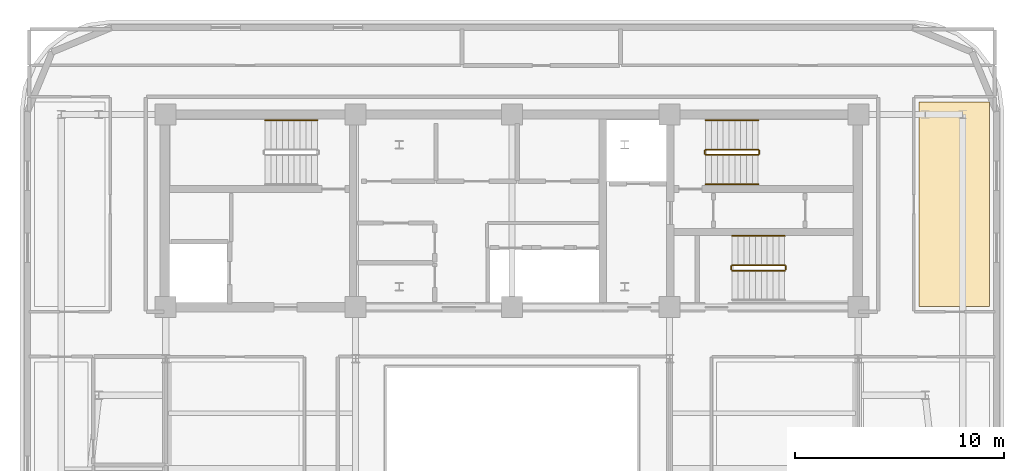
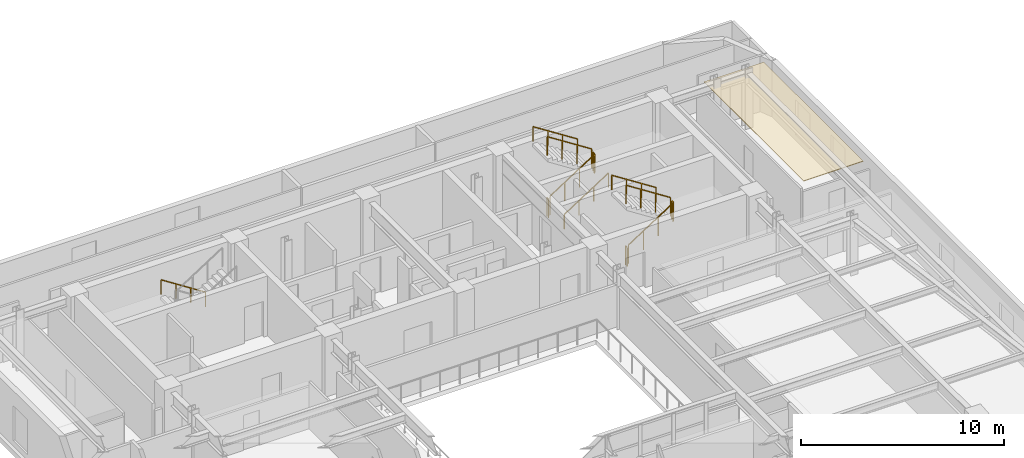
# One storey, part 14 of 14: 12 railings, 1 covering.
"""IFC4 building model written with IfcOpenShell, lengths in metres."""

from ifc_helpers import new_model, si_unit, direction, frame, origin, origin_2d, place, context, subcontext, project, spatial, polyline, rectangle, outline, extrude, material, layer, layer_set, type_object, element, save


model = new_model("IFC4")

# Units and contexts
model_context = context("Model", 3, precision=1e-05, world=origin(), true_north=direction((0.0, 1.0)))
body_context = subcontext(model_context, "Body", "Model", "MODEL_VIEW")
ifc_project = project(units=[si_unit("LENGTHUNIT", "METRE"), si_unit("AREAUNIT", "SQUARE_METRE"), si_unit("VOLUMEUNIT", "CUBIC_METRE"), si_unit("PLANEANGLEUNIT", "RADIAN"), si_unit("MASSUNIT", "GRAM", prefix="KILO")], contexts=[model_context])

# Site, building, storey
site_placement = place(None, origin())
site = spatial("IfcSite", under=ifc_project, at=site_placement, CompositionType="ELEMENT")
building_placement = place(site_placement, origin())
building = spatial("IfcBuilding", under=site, at=building_placement, Name="Zarnavel Station Tower", CompositionType="ELEMENT")
storey_placement = place(building_placement, frame((0.0, 0.0, 222.0)))
storey = spatial("IfcBuildingStorey", under=building, at=storey_placement, Name="L60", CompositionType="ELEMENT", Elevation=222.0)

# Covering
ifc_material_1 = material(Name="Perforated Gypsum and Mineral-Wool Acoustic Ceiling", Category="concrete")
ifc_layer = layer(ifc_material_1, 0.0400390625)
ifc_layer_set = layer_set([ifc_layer], Name="COV_CEIL_ACOUSTIC")
covering_type = type_object("IfcCoveringType", Name="COV_CEIL_ACOUSTIC", PredefinedType="CEILING", material=ifc_layer_set)
covering_placement = place(storey_placement, frame((0.0, 0.0, 3.02001953125)))
element("IfcCovering", 1, at=covering_placement, inside=storey, type_object=covering_type, Name="L60 FNE Acoustic Ceiling", PredefinedType="CEILING", context=body_context, shape_type="SweptSolid", body=[
    extrude(outline(polyline([(48.300048828125, 27.85009765625), (51.68994140625, 27.85009765625), (51.68994140625, 37.64990234375), (48.300048828125, 37.64990234375), (48.300048828125, 27.85009765625)])), origin(), (0.0, 0.0, 1.0), 0.0400390625),
])

# Railings
ifc_material_2 = material(Name="Painted Steel S355J2 Balustrade", Category="steel")
railing_type_1 = type_object("IfcRailingType", Name="GR_INT_1150", PredefinedType="GUARDRAIL", material=ifc_material_2)
railing_1_placement = place(storey_placement, frame((38.080078125, 35.110107421875, 0.179931640625)))
element("IfcRailing", 2, at=railing_1_placement, inside=storey, type_object=railing_type_1, Name="L60 ST2 stair guard 1", PredefinedType="GUARDRAIL", context=body_context, shape_type="SweptSolid", body=[
    extrude(rectangle(XDim=0.048095703125, YDim=0.048095703125, at=origin_2d()), frame((0.001708984375, 0.0, 1.126953125), z_axis=(0.841162588446, 0.0, 0.540782303519), x_axis=(0.0, 1.0, 0.0)), (0.0, 0.0, 1.0), 2.991943359375),
    extrude(rectangle(XDim=0.0419921875, YDim=0.0419921875, at=origin_2d()), origin(), (0.0, 0.0, 1.0), 1.101806640625),
    extrude(rectangle(XDim=0.0419921875, YDim=0.0419921875, at=origin_2d()), frame((0.840087890625, 0.0, 0.5400390625)), (0.0, 0.0, 1.0), 1.101806640625),
    extrude(rectangle(XDim=0.0419921875, YDim=0.0419921875, at=origin_2d()), frame((1.679931640625, 0.0, 1.080078125)), (0.0, 0.0, 1.0), 1.101806640625),
    extrude(rectangle(XDim=0.0419921875, YDim=0.0419921875, at=origin_2d()), frame((2.52001953125, 0.0, 1.6201171875)), (0.0, 0.0, 1.0), 1.101806640625),
])
railing_2_placement = place(storey_placement, frame((40.64990234375, 35.159912109375, 1.800048828125)))
element("IfcRailing", 3, at=railing_2_placement, inside=storey, type_object=railing_type_1, Name="L60 ST2 stair guard 2", PredefinedType="GUARDRAIL", context=body_context, shape_type="SweptSolid", body=[
    extrude(rectangle(XDim=0.048095703125, YDim=0.048095703125, at=origin_2d()), frame((0.0, 0.001953125, 1.1259765625), z_axis=(0.0, 1.0, 0.0), x_axis=(-1.0, 0.0, 0.0)), (0.0, 0.0, 1.0), 0.15625),
    extrude(rectangle(XDim=0.0419921875, YDim=0.0419921875, at=origin_2d()), origin(), (0.0, 0.0, 1.0), 1.101806640625),
    extrude(rectangle(XDim=0.0419921875, YDim=0.0419921875, at=origin_2d()), frame((0.0, 0.16015625, 0.0)), (0.0, 0.0, 1.0), 1.101806640625),
])
railing_3_placement = place(storey_placement, frame((40.60009765625, 35.3701171875, 1.97998046875)))
element("IfcRailing", 4, at=railing_3_placement, inside=storey, type_object=railing_type_1, Name="L60 ST2 stair guard 3", PredefinedType="GUARDRAIL", context=body_context, shape_type="SweptSolid", body=[
    extrude(rectangle(XDim=0.048095703125, YDim=0.048095703125, at=origin_2d()), frame((-0.001708984375, 0.0, 1.126953125), z_axis=(-0.841162588446, 0.0, 0.540782303519), x_axis=(0.0, -1.0, 0.0)), (0.0, 0.0, 1.0), 2.991943359375),
    extrude(rectangle(XDim=0.0419921875, YDim=0.0419921875, at=origin_2d()), origin(), (0.0, 0.0, 1.0), 1.101806640625),
    extrude(rectangle(XDim=0.0419921875, YDim=0.0419921875, at=origin_2d()), frame((-0.840087890625, 0.0, 0.5400390625)), (0.0, 0.0, 1.0), 1.101806640625),
    extrude(rectangle(XDim=0.0419921875, YDim=0.0419921875, at=origin_2d()), frame((-1.679931640625, 0.0, 1.080078125)), (0.0, 0.0, 1.0), 1.101806640625),
    extrude(rectangle(XDim=0.0419921875, YDim=0.0419921875, at=origin_2d()), frame((-2.52001953125, 0.0, 1.6201171875)), (0.0, 0.0, 1.0), 1.101806640625),
])
railing_4_placement = place(storey_placement, frame((38.030029296875, 35.159912109375, 0.0)))
element("IfcRailing", 5, at=railing_4_placement, inside=storey, type_object=railing_type_1, Name="L60 ST2 stair guard 4", PredefinedType="GUARDRAIL", context=body_context, shape_type="SweptSolid", body=[
    extrude(rectangle(XDim=0.048095703125, YDim=0.048095703125, at=origin_2d()), frame((0.0, 0.001953125, 1.1259765625), z_axis=(0.0, 1.0, 0.0), x_axis=(-1.0, 0.0, 0.0)), (0.0, 0.0, 1.0), 0.15625),
    extrude(rectangle(XDim=0.0419921875, YDim=0.0419921875, at=origin_2d()), origin(), (0.0, 0.0, 1.0), 1.101806640625),
    extrude(rectangle(XDim=0.0419921875, YDim=0.0419921875, at=origin_2d()), frame((0.0, 0.16015625, 0.0)), (0.0, 0.0, 1.0), 1.101806640625),
])
railing_5_placement = place(storey_placement, frame((39.35009765625, 29.570068359375, 0.179931640625)))
element("IfcRailing", 6, at=railing_5_placement, inside=storey, type_object=railing_type_1, Name="L60 ST3 stair guard 1", PredefinedType="GUARDRAIL", context=body_context, shape_type="SweptSolid", body=[
    extrude(rectangle(XDim=0.048095703125, YDim=0.048095703125, at=origin_2d()), frame((0.001708984375, 0.0, 1.126953125), z_axis=(0.841162588446, 0.0, 0.540782303519), x_axis=(0.0, 1.0, 0.0)), (0.0, 0.0, 1.0), 2.991943359375),
    extrude(rectangle(XDim=0.0419921875, YDim=0.0419921875, at=origin_2d()), origin(), (0.0, 0.0, 1.0), 1.101806640625),
    extrude(rectangle(XDim=0.0419921875, YDim=0.0419921875, at=origin_2d()), frame((0.840087890625, 0.0, 0.5400390625)), (0.0, 0.0, 1.0), 1.101806640625),
    extrude(rectangle(XDim=0.0419921875, YDim=0.0419921875, at=origin_2d()), frame((1.679931640625, 0.0, 1.080078125)), (0.0, 0.0, 1.0), 1.101806640625),
    extrude(rectangle(XDim=0.0419921875, YDim=0.0419921875, at=origin_2d()), frame((2.52001953125, 0.0, 1.6201171875)), (0.0, 0.0, 1.0), 1.101806640625),
])
railing_6_placement = place(storey_placement, frame((41.919921875, 29.6201171875, 1.800048828125)))
element("IfcRailing", 7, at=railing_6_placement, inside=storey, type_object=railing_type_1, Name="L60 ST3 stair guard 2", PredefinedType="GUARDRAIL", context=body_context, shape_type="SweptSolid", body=[
    extrude(rectangle(XDim=0.048095703125, YDim=0.048095703125, at=origin_2d()), frame((0.0, 0.001953125, 1.1259765625), z_axis=(0.0, 1.0, 0.0), x_axis=(-1.0, 0.0, 0.0)), (0.0, 0.0, 1.0), 0.156005859375),
    extrude(rectangle(XDim=0.0419921875, YDim=0.0419921875, at=origin_2d()), origin(), (0.0, 0.0, 1.0), 1.101806640625),
    extrude(rectangle(XDim=0.0419921875, YDim=0.0419921875, at=origin_2d()), frame((0.0, 0.159912109375, 0.0)), (0.0, 0.0, 1.0), 1.101806640625),
])
railing_7_placement = place(storey_placement, frame((41.8701171875, 29.830078125, 1.97998046875)))
element("IfcRailing", 8, at=railing_7_placement, inside=storey, type_object=railing_type_1, Name="L60 ST3 stair guard 3", PredefinedType="GUARDRAIL", context=body_context, shape_type="SweptSolid", body=[
    extrude(rectangle(XDim=0.048095703125, YDim=0.048095703125, at=origin_2d()), frame((-0.001708984375, 0.0, 1.126953125), z_axis=(-0.841162588446, 0.0, 0.540782303519), x_axis=(0.0, -1.0, 0.0)), (0.0, 0.0, 1.0), 2.991943359375),
    extrude(rectangle(XDim=0.0419921875, YDim=0.0419921875, at=origin_2d()), origin(), (0.0, 0.0, 1.0), 1.101806640625),
    extrude(rectangle(XDim=0.0419921875, YDim=0.0419921875, at=origin_2d()), frame((-0.840087890625, 0.0, 0.5400390625)), (0.0, 0.0, 1.0), 1.101806640625),
    extrude(rectangle(XDim=0.0419921875, YDim=0.0419921875, at=origin_2d()), frame((-1.679931640625, 0.0, 1.080078125)), (0.0, 0.0, 1.0), 1.101806640625),
    extrude(rectangle(XDim=0.0419921875, YDim=0.0419921875, at=origin_2d()), frame((-2.52001953125, 0.0, 1.6201171875)), (0.0, 0.0, 1.0), 1.101806640625),
])
railing_8_placement = place(storey_placement, frame((39.300048828125, 29.6201171875, 0.0)))
element("IfcRailing", 9, at=railing_8_placement, inside=storey, type_object=railing_type_1, Name="L60 ST3 stair guard 4", PredefinedType="GUARDRAIL", context=body_context, shape_type="SweptSolid", body=[
    extrude(rectangle(XDim=0.048095703125, YDim=0.048095703125, at=origin_2d()), frame((0.0, 0.001953125, 1.1259765625), z_axis=(0.0, 1.0, 0.0), x_axis=(-1.0, 0.0, 0.0)), (0.0, 0.0, 1.0), 0.156005859375),
    extrude(rectangle(XDim=0.0419921875, YDim=0.0419921875, at=origin_2d()), origin(), (0.0, 0.0, 1.0), 1.101806640625),
    extrude(rectangle(XDim=0.0419921875, YDim=0.0419921875, at=origin_2d()), frame((0.0, 0.159912109375, 0.0)), (0.0, 0.0, 1.0), 1.101806640625),
])
ifc_material_3 = material(Name="Brushed Stainless Steel S355J2 Handrail", Category="steel")
railing_type_2 = type_object("IfcRailingType", Name="HR_STAIR_900", PredefinedType="HANDRAIL", material=ifc_material_3)
railing_9_placement = place(storey_placement, frame((19.47998046875, 36.77001953125, 0.179931640625)))
element("IfcRailing", 10, at=railing_9_placement, inside=storey, type_object=railing_type_2, Name="L60 ST1 stair handrail 1", PredefinedType="HANDRAIL", context=body_context, shape_type="SweptSolid", body=[
    extrude(rectangle(XDim=0.048095703125, YDim=0.048095703125, at=origin_2d()), frame((-0.001708984375, 0.0, 0.876953125), z_axis=(-0.841162588446, 0.0, 0.540782303519), x_axis=(0.0, -1.0, 0.0)), (0.0, 0.0, 1.0), 2.991943359375),
    extrude(rectangle(XDim=0.0419921875, YDim=0.0419921875, at=origin_2d()), origin(), (0.0, 0.0, 1.0), 0.851806640625),
    extrude(rectangle(XDim=0.0419921875, YDim=0.0419921875, at=origin_2d()), frame((-0.840087890625, 0.0, 0.5400390625)), (0.0, 0.0, 1.0), 0.851806640625),
    extrude(rectangle(XDim=0.0419921875, YDim=0.0419921875, at=origin_2d()), frame((-1.679931640625, 0.0, 1.080078125)), (0.0, 0.0, 1.0), 0.851806640625),
    extrude(rectangle(XDim=0.0419921875, YDim=0.0419921875, at=origin_2d()), frame((-2.52001953125, 0.0, 1.6201171875)), (0.0, 0.0, 1.0), 0.851806640625),
])
railing_10_placement = place(storey_placement, frame((38.080078125, 33.7099609375, 0.179931640625)))
element("IfcRailing", 11, at=railing_10_placement, inside=storey, type_object=railing_type_2, Name="L60 ST2 stair handrail 1", PredefinedType="HANDRAIL", context=body_context, shape_type="SweptSolid", body=[
    extrude(rectangle(XDim=0.048095703125, YDim=0.048095703125, at=origin_2d()), frame((0.001708984375, 0.0, 0.876953125), z_axis=(0.841162588446, 0.0, 0.540782303519), x_axis=(0.0, 1.0, 0.0)), (0.0, 0.0, 1.0), 2.991943359375),
    extrude(rectangle(XDim=0.0419921875, YDim=0.0419921875, at=origin_2d()), origin(), (0.0, 0.0, 1.0), 0.851806640625),
    extrude(rectangle(XDim=0.0419921875, YDim=0.0419921875, at=origin_2d()), frame((0.840087890625, 0.0, 0.5400390625)), (0.0, 0.0, 1.0), 0.851806640625),
    extrude(rectangle(XDim=0.0419921875, YDim=0.0419921875, at=origin_2d()), frame((1.679931640625, 0.0, 1.080078125)), (0.0, 0.0, 1.0), 0.851806640625),
    extrude(rectangle(XDim=0.0419921875, YDim=0.0419921875, at=origin_2d()), frame((2.52001953125, 0.0, 1.6201171875)), (0.0, 0.0, 1.0), 0.851806640625),
])
for number, where, name in (
    (12, (40.60009765625, 36.77001953125, 1.97998046875), "L60 ST2 stair handrail 2"),
    (13, (41.8701171875, 31.22998046875, 1.97998046875), "L60 ST3 stair handrail 2"),
):
    element("IfcRailing", number, at=place(storey_placement, frame(where)), inside=storey, type_object=railing_type_2, Name=name, PredefinedType="HANDRAIL", context=body_context, shape_type="SweptSolid", body=[
        extrude(rectangle(XDim=0.048095703125, YDim=0.048095703125, at=origin_2d()), frame((-0.001708984375, 0.0, 0.876953125), z_axis=(-0.841162588446, 0.0, 0.540782303519), x_axis=(0.0, -1.0, 0.0)), (0.0, 0.0, 1.0), 2.991943359375),
        extrude(rectangle(XDim=0.0419921875, YDim=0.0419921875, at=origin_2d()), origin(), (0.0, 0.0, 1.0), 0.851806640625),
        extrude(rectangle(XDim=0.0419921875, YDim=0.0419921875, at=origin_2d()), frame((-0.840087890625, 0.0, 0.5400390625)), (0.0, 0.0, 1.0), 0.851806640625),
        extrude(rectangle(XDim=0.0419921875, YDim=0.0419921875, at=origin_2d()), frame((-1.679931640625, 0.0, 1.080078125)), (0.0, 0.0, 1.0), 0.851806640625),
        extrude(rectangle(XDim=0.0419921875, YDim=0.0419921875, at=origin_2d()), frame((-2.52001953125, 0.0, 1.6201171875)), (0.0, 0.0, 1.0), 0.851806640625),
    ])

save(model, "model.ifc")
